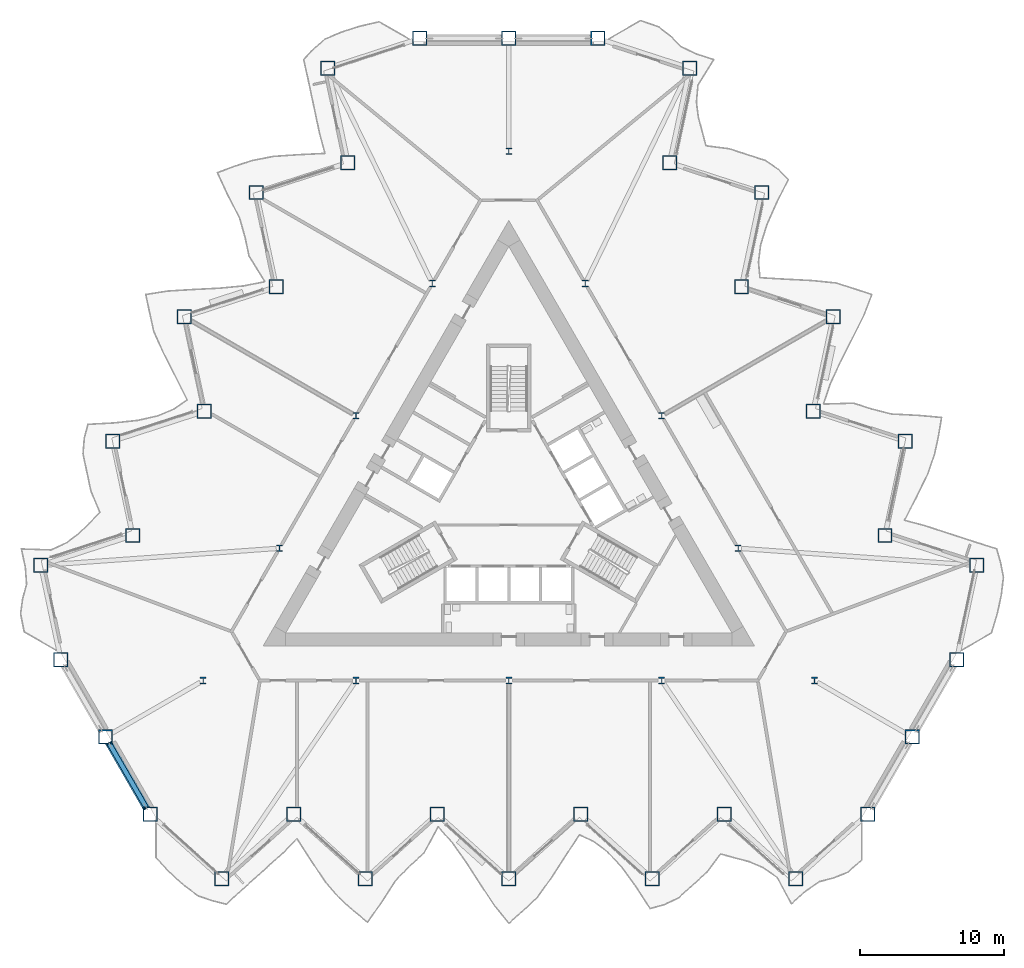
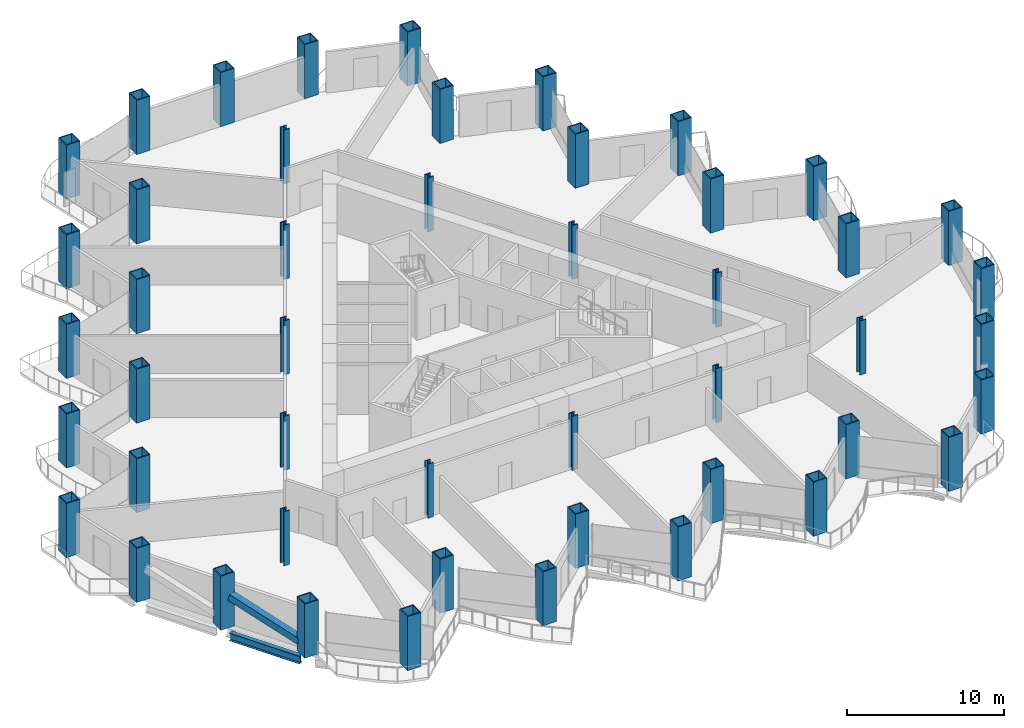
# One storey, part 1 of 20: 48 columns, 1 beam, 1 member.
"""IFC4 building model written with IfcOpenShell, lengths in metres."""

from ifc_helpers import new_model, si_unit, direction, frame, origin, origin_2d, place, context, subcontext, project, spatial, hollow_rectangle, i_section, extrude, material, material_profile, profile_set, type_object, element, save


model = new_model("IFC4")

# Units and contexts
model_context = context("Model", 3, precision=1e-05, world=origin(), true_north=direction((0.0, 1.0)))
body_context = subcontext(model_context, "Body", "Model", "MODEL_VIEW")
ifc_project = project(units=[si_unit("LENGTHUNIT", "METRE"), si_unit("AREAUNIT", "SQUARE_METRE"), si_unit("VOLUMEUNIT", "CUBIC_METRE"), si_unit("PLANEANGLEUNIT", "RADIAN"), si_unit("MASSUNIT", "GRAM", prefix="KILO")], contexts=[model_context])

# Site, building, storey
site_placement = place(None, origin())
site = spatial("IfcSite", under=ifc_project, at=site_placement, CompositionType="ELEMENT")
building_placement = place(site_placement, origin())
building = spatial("IfcBuilding", under=site, at=building_placement, Name="Cormorant Prow Tower", CompositionType="ELEMENT")
storey_placement = place(building_placement, frame((0.0, 0.0, 55.199951171875)))
storey = spatial("IfcBuildingStorey", under=building, at=storey_placement, Name="L11", CompositionType="ELEMENT", Elevation=55.199951171875)

# Columns
ifc_material_1 = material(Name="Structural steel ASTM A572 Gr 50", Category="steel")
ifc_material_profile_1 = material_profile(ifc_material_1, hollow_rectangle(XDim=1.0, YDim=1.0, WallThickness=0.070068359375, at=origin_2d()), Name="Box 1000x1000x70")
ifc_profile_set_1 = profile_set([ifc_material_profile_1], Name="Structural steel ASTM A572 Gr 50")
column_type_1 = type_object("IfcColumnType", Name="Perimeter box column 1000x1000x70", PredefinedType="COLUMN", material=ifc_profile_set_1)
for number, where, z_axis, x_axis, name in (
    (1, (-24.830322265625, -21.4599609375, 0.0), (0.0, 0.0, 1.0), (1.0, 0.0, 0.0), "Perimeter column C2 at S00 L11"),
    (2, (-19.8642578125, -25.931396484375, 0.0), (0.0, 0.0, 1.0), (1.0, 0.0, 0.0), "Perimeter column C2 at S01 L11"),
    (3, (-14.898193359375, -21.4599609375, 0.0), (0.0, 0.0, 1.0), (1.0, 0.0, 0.0), "Perimeter column C2 at S02 L11"),
    (4, (-9.93212890625, -25.931396484375, 0.0), (0.0, 0.0, 1.0), (1.0, 0.0, 0.0), "Perimeter column C2 at S03 L11"),
    (5, (-4.966064453125, -21.4599609375, 0.0), (0.0, 0.0, 1.0), (1.0, 0.0, 0.0), "Perimeter column C2 at S04 L11"),
    (6, (0.0, -25.931396484375, 0.0), (0.0, 0.0, 1.0), (1.0, 0.0, 0.0), "Perimeter column C2 at S05 L11"),
    (7, (4.966064453125, -21.4599609375, 0.0), (0.0, 0.0, 1.0), (1.0, 0.0, 0.0), "Perimeter column C2 at S06 L11"),
    (8, (9.93212890625, -25.931396484375, 0.0), (0.0, 0.0, 1.0), (1.0, 0.0, 0.0), "Perimeter column C2 at S07 L11"),
    (9, (14.898193359375, -21.4599609375, 0.0), (0.0, 0.0, 1.0), (1.0, 0.0, 0.0), "Perimeter column C2 at S08 L11"),
    (10, (19.8642578125, -25.931396484375, 0.0), (0.0, 0.0, 1.0), (1.0, 0.0, 0.0), "Perimeter column C2 at S09 L11"),
    (11, (24.830322265625, -21.4599609375, 0.0), (0.0, 0.0, 1.0), (1.0, 0.0, 0.0), "Perimeter column C2 at ESE00 L11"),
    (12, (27.915283203125, -16.116943359375, 0.0), (0.0, 0.0, 1.0), (1.0, 0.0, 0.0), "Perimeter column C2 at ESE01 L11"),
    (13, (31.0, -10.773681640625, 0.0), (0.0, 0.0, 1.0), (1.0, 0.0, 0.0), "Perimeter column C2 at ENE00 L11"),
    (14, (32.389404296875, -4.2373046875, 0.0), (0.0, 0.0, 1.0), (1.0, 0.0, 0.0), "Perimeter column C2 at ENE01 L11"),
    (15, (26.033935546875, -2.17236328125, 0.0), (0.0, 0.0, 1.0), (1.0, 0.0, 0.0), "Perimeter column C2 at ENE02 L11"),
    (16, (27.42333984375, 4.3642578125, 0.0), (0.0, 0.0, 1.0), (1.0, 0.0, 0.0), "Perimeter column C2 at ENE03 L11"),
    (17, (21.06787109375, 6.42919921875, 0.0), (0.0, 0.0, 1.0), (1.0, 0.0, 0.0), "Perimeter column C2 at ENE04 L11"),
    (18, (22.457275390625, 12.965576171875, 0.0), (0.0, 0.0, 1.0), (1.0, 0.0, 0.0), "Perimeter column C2 at ENE05 L11"),
    (19, (16.101806640625, 15.03076171875, 0.0), (0.0, 0.0, 1.0), (1.0, 0.0, 0.0), "Perimeter column C2 at ENE06 L11"),
    (20, (17.4912109375, 21.567138671875, 0.0), (0.0, 0.0, 1.0), (1.0, 0.0, 0.0), "Perimeter column C2 at ENE07 L11"),
    (21, (11.1357421875, 23.632080078125, 0.0), (0.0, 0.0, 1.0), (1.0, 0.0, 0.0), "Perimeter column C2 at ENE08 L11"),
    (22, (12.525146484375, 30.168701171875, 0.0), (0.0, 0.0, 1.0), (1.0, 0.0, 0.0), "Perimeter column C2 at ENE09 L11"),
    (23, (6.169677734375, 32.233642578125, 0.0), (0.0, 0.0, 1.0), (1.0, 0.0, 0.0), "Perimeter column C2 at N00 L11"),
    (24, (0.0, 32.233642578125, 0.0), (0.0, 0.0, 1.0), (1.0, 0.0, 0.0), "Perimeter column C2 at N01 L11"),
    (25, (-6.169677734375, 32.233642578125, 0.0), (0.0, 0.0, 1.0), (1.0, 0.0, 0.0), "Perimeter column C2 at WNW00 L11"),
    (26, (-12.525146484375, 30.168701171875, 0.0), (0.0, 0.0, 1.0), (1.0, 0.0, 0.0), "Perimeter column C2 at WNW01 L11"),
    (27, (-11.1357421875, 23.632080078125, 0.0), (0.0, 0.0, 1.0), (1.0, 0.0, 0.0), "Perimeter column C2 at WNW02 L11"),
    (28, (-17.4912109375, 21.567138671875, 0.0), (0.0, 0.0, 1.0), (1.0, 0.0, 0.0), "Perimeter column C2 at WNW03 L11"),
    (29, (-16.101806640625, 15.03076171875, 0.0), (0.0, 0.0, 1.0), (1.0, 0.0, 0.0), "Perimeter column C2 at WNW04 L11"),
    (30, (-22.457275390625, 12.965576171875, 0.0), (0.0, 0.0, 1.0), (1.0, 0.0, 0.0), "Perimeter column C2 at WNW05 L11"),
    (31, (-21.06787109375, 6.42919921875, 0.0), (0.0, 0.0, 1.0), (1.0, 0.0, 0.0), "Perimeter column C2 at WNW06 L11"),
    (32, (-27.42333984375, 4.3642578125, 0.0), (0.0, 0.0, 1.0), (1.0, 0.0, 0.0), "Perimeter column C2 at WNW07 L11"),
    (33, (-26.033935546875, -2.17236328125, 0.0), (0.0, 0.0, 1.0), (1.0, 0.0, 0.0), "Perimeter column C2 at WNW08 L11"),
    (34, (-32.389404296875, -4.2373046875, 0.0), (0.0, 0.0, 1.0), (1.0, 0.0, 0.0), "Perimeter column C2 at WNW09 L11"),
    (35, (-31.0, -10.773681640625, 0.0), (0.0, 0.0, 1.0), (1.0, 0.0, 0.0), "Perimeter column C2 at WSW00 L11"),
    (36, (-27.915283203125, -16.116943359375, 0.0), (0.0, 0.0, 1.0), (1.0, 0.0, 0.0), "Perimeter column C2 at WSW01 L11"),
):
    element("IfcColumn", number, at=place(storey_placement, frame(where, z_axis=z_axis, x_axis=x_axis)), inside=storey, type_object=column_type_1, Name=name, PredefinedType="COLUMN", context=body_context, shape_type="SweptSolid", body=[
        extrude(hollow_rectangle(XDim=1.0, YDim=1.0, WallThickness=0.070068359375, at=origin_2d()), origin(), (0.0, 0.0, 1.0), 4.199951171875),
    ])
ifc_material_2 = material(Name="Structural steel ASTM A992 Gr 50", Category="steel")
ifc_material_profile_2 = material_profile(ifc_material_2, i_section(OverallWidth=0.42138671875, OverallDepth=0.464599609375, WebThickness=0.044921875, FlangeThickness=0.072265625, at=origin_2d()), Name="W14x398")
ifc_profile_set_2 = profile_set([ifc_material_profile_2], Name="Structural steel ASTM A992 Gr 50")
column_type_2 = type_object("IfcColumnType", Name="Ring column W14x398", PredefinedType="COLUMN", material=ifc_profile_set_2)
for number, where, z_axis, x_axis, name in (
    (37, (0.0, 24.429931640625, 0.0), (0.0, 0.0, 1.0), (1.0, 0.0, 0.0), "Ring column 1 L11"),
    (38, (-5.289306640625, 15.268798828125, 0.0), (0.0, 0.0, 1.0), (1.0, 0.0, 0.0), "Ring column 2 L11"),
    (39, (-10.578369140625, 6.107421875, 0.0), (0.0, 0.0, 1.0), (1.0, 0.0, 0.0), "Ring column 3 L11"),
    (40, (-15.86767578125, -3.0537109375, 0.0), (0.0, 0.0, 1.0), (1.0, 0.0, 0.0), "Ring column 4 L11"),
    (41, (-21.156982421875, -12.21484375, 0.0), (0.0, 0.0, 1.0), (1.0, 0.0, 0.0), "Ring column 5 L11"),
    (42, (-10.578369140625, -12.21484375, 0.0), (0.0, 0.0, 1.0), (1.0, 0.0, 0.0), "Ring column 6 L11"),
    (43, (0.0, -12.21484375, 0.0), (0.0, 0.0, 1.0), (1.0, 0.0, 0.0), "Ring column 7 L11"),
    (44, (10.578369140625, -12.21484375, 0.0), (0.0, 0.0, 1.0), (1.0, 0.0, 0.0), "Ring column 8 L11"),
    (45, (21.156982421875, -12.21484375, 0.0), (0.0, 0.0, 1.0), (1.0, 0.0, 0.0), "Ring column 9 L11"),
    (46, (15.86767578125, -3.0537109375, 0.0), (0.0, 0.0, 1.0), (1.0, 0.0, 0.0), "Ring column 10 L11"),
    (47, (10.578369140625, 6.107421875, 0.0), (0.0, 0.0, 1.0), (1.0, 0.0, 0.0), "Ring column 11 L11"),
    (48, (5.289306640625, 15.268798828125, 0.0), (0.0, 0.0, 1.0), (1.0, 0.0, 0.0), "Ring column 12 L11"),
):
    element("IfcColumn", number, at=place(storey_placement, frame(where, z_axis=z_axis, x_axis=x_axis)), inside=storey, type_object=column_type_2, Name=name, PredefinedType="COLUMN", context=body_context, shape_type="SweptSolid", body=[
        extrude(i_section(OverallWidth=0.42138671875, OverallDepth=0.464599609375, WebThickness=0.044921875, FlangeThickness=0.072265625, at=origin_2d()), origin(), (0.0, 0.0, 1.0), 4.199951171875),
    ])

# Member
ifc_material_3 = material(Name="Structural steel ASTM A500 Gr C", Category="steel")
ifc_material_profile_3 = material_profile(ifc_material_3, hollow_rectangle(XDim=0.508056640625, YDim=0.508056640625, WallThickness=0.014892578125, at=origin_2d()), Name="HSS20x20x5/8")
ifc_profile_set_3 = profile_set([ifc_material_profile_3], Name="Structural steel ASTM A500 Gr C")
member_type = type_object("IfcMemberType", Name="Chamfer brace HSS20x20x5/8", PredefinedType="BRACE", material=ifc_profile_set_3)
member_placement = place(storey_placement, frame((-25.089599609375, -21.0107421875, 0.767333984375), z_axis=(-0.475899695849, 0.824255918841, 0.306792535351), x_axis=(-0.866018434186, -0.500012071504, 0.0)))
element("IfcMember", 49, at=member_placement, inside=storey, type_object=member_type, Name="Chamfer brace BR1 at WSW01 L11", PredefinedType="BRACE", context=body_context, shape_type="SweptSolid", body=[
    extrude(hollow_rectangle(XDim=0.508056640625, YDim=0.508056640625, WallThickness=0.014892578125, at=origin_2d()), origin(), (0.0, 0.0, 1.0), 5.392333984375),
])

# Beam
ifc_material_4 = material(Name="Structural steel ASTM A992 Gr 50", Category="steel")
ifc_material_profile_4 = material_profile(ifc_material_4, i_section(OverallWidth=0.32373046875, OverallDepth=0.611083984375, WebThickness=0.0126953125, FlangeThickness=0.01904296875, at=origin_2d()), Name="W24x104")
ifc_profile_set_4 = profile_set([ifc_material_profile_4], Name="Structural steel ASTM A992 Gr 50")
beam_type = type_object("IfcBeamType", Name="Spandrel beam W24x104", PredefinedType="SPANDREL", material=ifc_profile_set_4)
beam_placement = place(storey_placement, frame((-27.665283203125, -16.5498046875, -0.70556640625), z_axis=(0.500019507279, -0.866014140959, 0.0), x_axis=(0.866014140959, 0.500019507279, 0.0)))
element("IfcBeam", 50, at=beam_placement, inside=storey, type_object=beam_type, Name="Spandrel beam SB1 WSW01-S00 L11", PredefinedType="SPANDREL", context=body_context, shape_type="SweptSolid", body=[
    extrude(i_section(OverallWidth=0.32373046875, OverallDepth=0.611083984375, WebThickness=0.0126953125, FlangeThickness=0.01904296875, at=origin_2d()), origin(), (0.0, 0.0, 1.0), 5.169677734375),
])

save(model, "model.ifc")
